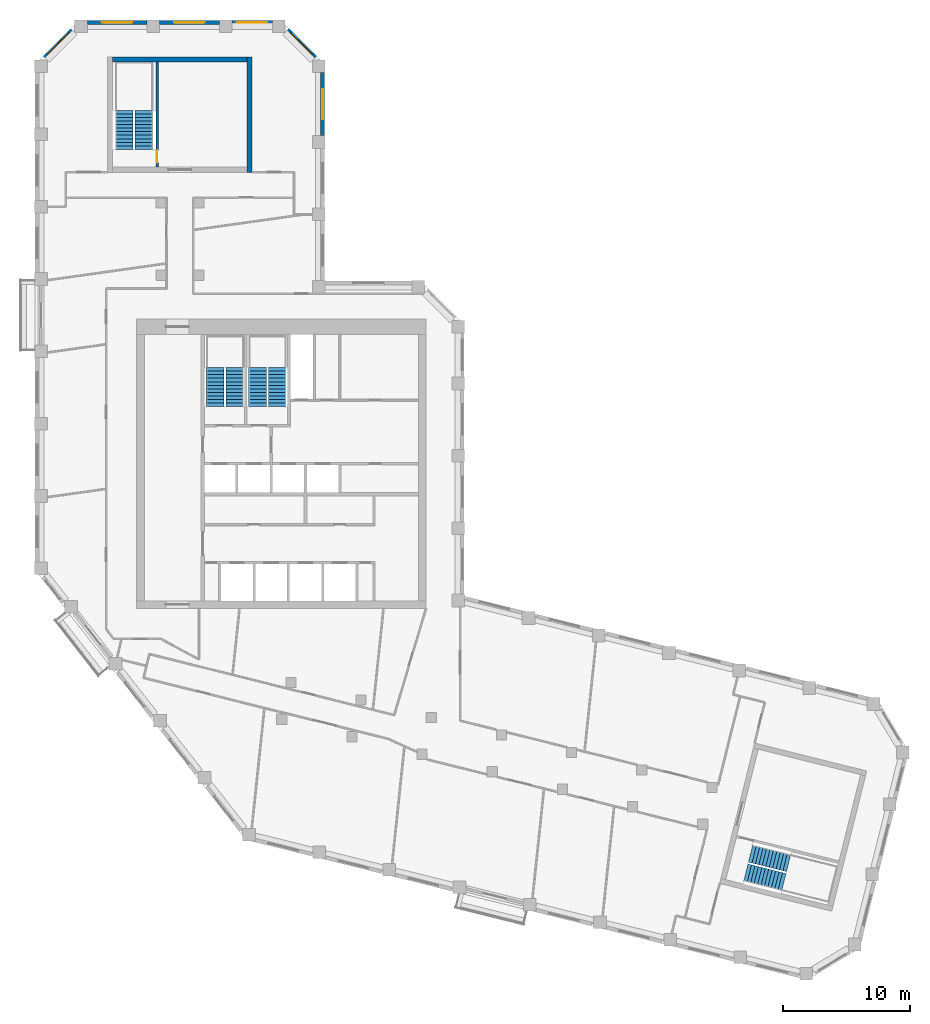
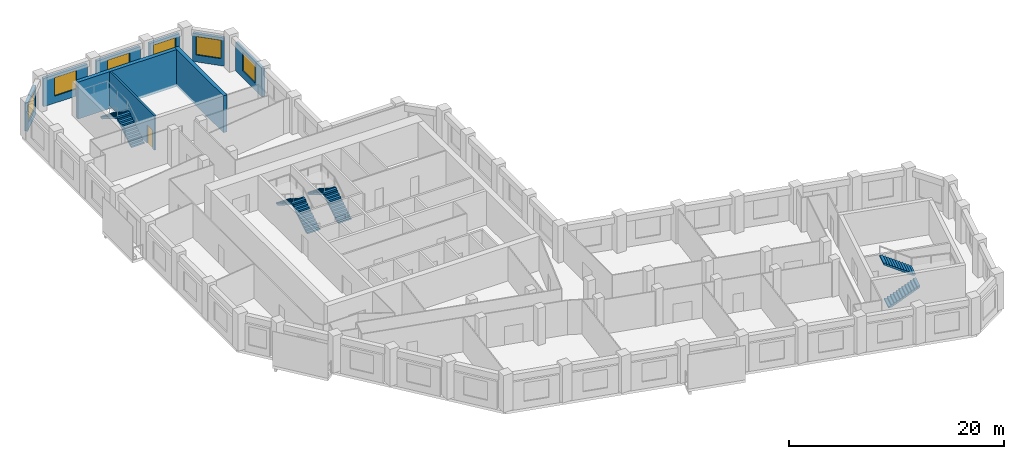
# One storey, part 8 of 9: 9 walls, 8 stair flights, 6 windows, 1 door, 7 openings, 4 elements without a shape of their own.
"""IFC4 building model written with IfcOpenShell, lengths in metres."""

import ifcopenshell
import ifcopenshell.guid

model = None  # the IFC model being written
_history = None  # IfcOwnerHistory: only IFC2X3 demands one
_inside = {}  # id of a spatial element -> (the spatial element, [elements in it])
_under = {}  # id of a project, library or spatial element -> (it, [spatial elements below it])
_declared = {}  # id of a project -> (the project, [libraries it declares])
_typed = {}  # id of a type object -> (the type object, [elements of that type])
_made_of = {}  # id of a material, layer set ... -> (it, [elements and type objects made of it])


def new_model(schema):
    """Start an empty IFC model of exactly this schema.

    Asked for "IFC4X3", IfcOpenShell would pick the latest addendum, in which some entities
    have other attributes; the version numbers below select the first issue.
    IFC2X3 requires an IfcOwnerHistory on every rooted entity: one is made here for all.
    """
    global model, _history
    if schema == "IFC4X3":
        model = ifcopenshell.file(schema_version=(4, 3, 0, 0))
    else:
        model = ifcopenshell.file(schema=schema)
    _inside.clear()
    _under.clear()
    _declared.clear()
    _typed.clear()
    _made_of.clear()
    _history = None
    if model.schema == "IFC2X3":
        org = make("IfcOrganization", Name="unknown")
        user = make(
            "IfcPersonAndOrganization",
            ThePerson=make("IfcPerson", FamilyName="unknown"),
            TheOrganization=org,
        )
        app = make(
            "IfcApplication",
            ApplicationDeveloper=org,
            Version="unknown",
            ApplicationFullName="unknown",
            ApplicationIdentifier="unknown",
        )
        _history = make(
            "IfcOwnerHistory",
            OwningUser=user,
            OwningApplication=app,
            ChangeAction="ADDED",
            CreationDate=0,
        )
    return model


def make(cls, **values):
    """One entity of the class cls with the attributes given. An attribute that is None is left unset."""
    return model.create_entity(
        cls, **{name: value for name, value in values.items() if value is not None}
    )


def rooted(cls, **values):
    """An entity with a GlobalId (a new one), such as an element, a storey or a relation."""
    return make(cls, GlobalId=ifcopenshell.guid.new(), OwnerHistory=_history, **values)


def si_unit(unit_type, name, prefix=None):
    """IfcSIUnit, for example si_unit("LENGTHUNIT", "METRE", prefix="MILLI")."""
    return make("IfcSIUnit", UnitType=unit_type, Prefix=prefix, Name=name)


def assignment(units):
    """IfcUnitAssignment: the units of a project."""
    return None if units is None else make("IfcUnitAssignment", Units=units)


def point(xyz):
    """IfcCartesianPoint."""
    return None if xyz is None else make("IfcCartesianPoint", Coordinates=xyz)


def direction(xyz):
    """IfcDirection."""
    return None if xyz is None else make("IfcDirection", DirectionRatios=xyz)


def frame(location, z_axis=None, x_axis=None):
    """IfcAxis2Placement3D, a coordinate frame: its origin and axes. An axis left out is left unset."""
    return make(
        "IfcAxis2Placement3D",
        Location=point(location),
        Axis=direction(z_axis),
        RefDirection=direction(x_axis),
    )


def frame_2d(location, x_axis=None):
    """IfcAxis2Placement2D, a coordinate frame in the plane: its origin and x axis."""
    return make(
        "IfcAxis2Placement2D", Location=point(location), RefDirection=direction(x_axis)
    )


def origin():
    """The frame at (0, 0, 0) with its axes left unset."""
    return frame((0.0, 0.0, 0.0))


def place(relative_to, where):
    """IfcLocalPlacement: puts the frame where relative to a parent placement (None: the world)."""
    return make(
        "IfcLocalPlacement", PlacementRelTo=relative_to, RelativePlacement=where
    )


def context(
    kind, dimensions, precision=None, world=None, true_north=None, identifier=None
):
    """IfcGeometricRepresentationContext, for example the 3D "Model" context."""
    return make(
        "IfcGeometricRepresentationContext",
        ContextIdentifier=identifier,
        ContextType=kind,
        CoordinateSpaceDimension=dimensions,
        Precision=precision,
        WorldCoordinateSystem=world,
        TrueNorth=true_north,
    )


def subcontext(parent, identifier, kind, view, scale=None):
    """IfcGeometricRepresentationSubContext, for example "Body" below "Model"."""
    return make(
        "IfcGeometricRepresentationSubContext",
        ContextIdentifier=identifier,
        ContextType=kind,
        ParentContext=parent,
        TargetScale=scale,
        TargetView=view,
    )


def project(units=None, contexts=None):
    """IfcProject with its units and contexts."""
    return rooted(
        "IfcProject",
        Name="project",
        RepresentationContexts=contexts,
        UnitsInContext=assignment(units),
    )


def spatial(cls, under=None, at=None, **own):
    """A site, building, storey or space (cls), placed at a placement, below another one or the project."""
    s = rooted(cls, ObjectPlacement=at, **own)
    if under is not None:
        _under.setdefault(under.id(), (under, []))[1].append(s)
    return s


def polyline(points):
    """IfcPolyline through the points."""
    return make("IfcPolyline", Points=[point(p) for p in points])


def profile(cls, at=None, kind="AREA", **sizes):
    """A parametric profile (cls). Its sizes go by their IFC names, for example OverallWidth=200.0."""
    return make(cls, ProfileType=kind, Position=at, **sizes)


def rectangle(**sizes):
    """IfcRectangleProfileDef."""
    return profile("IfcRectangleProfileDef", **sizes)


def outline(outer, holes=None, kind="AREA"):
    """IfcArbitraryClosedProfileDef: a profile drawn as a closed curve; with holes, ...WithVoids."""
    if holes is None:
        return make("IfcArbitraryClosedProfileDef", ProfileType=kind, OuterCurve=outer)
    return make(
        "IfcArbitraryProfileDefWithVoids",
        ProfileType=kind,
        OuterCurve=outer,
        InnerCurves=holes,
    )


def extrude(swept, where, along, depth):
    """IfcExtrudedAreaSolid: the profile swept, set in the frame where, extruded along a direction by depth."""
    return make(
        "IfcExtrudedAreaSolid",
        SweptArea=swept,
        Position=where,
        ExtrudedDirection=direction(along),
        Depth=depth,
    )


def shape(context_of_items, identifier, shape_type, items):
    """IfcShapeRepresentation: the items that make up one representation, for example the "Body"."""
    return make(
        "IfcShapeRepresentation",
        ContextOfItems=context_of_items,
        RepresentationIdentifier=identifier,
        RepresentationType=shape_type,
        Items=items,
    )


def material(Name=None, Category=None):
    """IfcMaterial."""
    return make("IfcMaterial", Name=Name, Category=Category)


def layer(
    of_material, thickness, ventilated=None, Name=None, Category=None, Priority=None
):
    """IfcMaterialLayer: one layer of a wall or slab, of a material (None: an air gap)."""
    return make(
        "IfcMaterialLayer",
        Material=of_material,
        LayerThickness=thickness,
        IsVentilated=ventilated,
        Name=Name,
        Category=Category,
        Priority=Priority,
    )


def layer_set(layers, Name=None):
    """IfcMaterialLayerSet."""
    return make("IfcMaterialLayerSet", MaterialLayers=layers, LayerSetName=Name)


def made_of(thing, what):
    """Note that an element or type object is made of a material, layer set ...; save() writes the relation."""
    if what is not None:
        _made_of.setdefault(what.id(), (what, []))[1].append(thing)
    return thing


def type_object(cls, material=None, **own):
    """A type object (cls), such as IfcWallType, which elements share."""
    return made_of(rooted(cls, **own), material)


def element(
    cls,
    number,
    at=None,
    inside=None,
    cuts=None,
    type_object=None,
    material=None,
    context=None,
    identifier="Body",
    shape_type=None,
    held_by="IfcProductDefinitionShape",
    body=None,
    shapes=None,
    **own,
):
    """One element of the class cls, such as IfcWall. Its Tag is "e" and its number.

    at: its placement. inside: the storey or other place that contains it. cuts: it is an
    opening in that element (IfcRelVoidsElement). A single representation is given by context,
    identifier, shape_type and body (its items); several are given by shapes. held_by: the class
    of the entity that holds the representations. save() writes the other relations.
    """
    e = rooted(cls, Tag="e%d" % number, ObjectPlacement=at, **own)
    if body is not None:
        shapes = [shape(context, identifier, shape_type, body)]
    if shapes is not None:
        e.Representation = make(held_by, Representations=shapes)
    if inside is not None:
        _inside.setdefault(inside.id(), (inside, []))[1].append(e)
    if cuts is not None:
        rooted(
            "IfcRelVoidsElement", RelatingBuildingElement=cuts, RelatedOpeningElement=e
        )
    if type_object is not None:
        _typed.setdefault(type_object.id(), (type_object, []))[1].append(e)
    return made_of(e, material)


def fill(opening, filler):
    """IfcRelFillsElement: the door or window that sits in an opening."""
    return rooted(
        "IfcRelFillsElement",
        RelatingOpeningElement=opening,
        RelatedBuildingElement=filler,
    )


def aggregate(whole, parts):
    """IfcRelAggregates: a whole, such as a stair, and the parts it consists of."""
    return rooted("IfcRelAggregates", RelatingObject=whole, RelatedObjects=parts)


def save(model, path):
    """Write the relations noted so far, then the file.

    IfcRelAggregates (storeys below a building ...), IfcRelContainedInSpatialStructure (elements
    in a storey), IfcRelDefinesByType, IfcRelAssociatesMaterial and IfcRelDeclares: one each for
    every whole, place, type object, material and project.
    """
    for whole, parts in _under.values():
        aggregate(whole, parts)
    for where, things in _inside.values():
        rooted(
            "IfcRelContainedInSpatialStructure",
            RelatedElements=things,
            RelatingStructure=where,
        )
    for kind, things in _typed.values():
        rooted("IfcRelDefinesByType", RelatedObjects=things, RelatingType=kind)
    for what, things in _made_of.values():
        rooted("IfcRelAssociatesMaterial", RelatedObjects=things, RelatingMaterial=what)
    for by, libraries in _declared.values():
        rooted("IfcRelDeclares", RelatingContext=by, RelatedDefinitions=libraries)
    model.write(path)


model = new_model("IFC4")

# Units and contexts
model_context = context("Model", 3, precision=1e-05, world=origin(), true_north=direction((0.0, 1.0)))
body_context = subcontext(model_context, "Body", "Model", "MODEL_VIEW")
ifc_project = project(units=[si_unit("LENGTHUNIT", "METRE"), si_unit("AREAUNIT", "SQUARE_METRE"), si_unit("VOLUMEUNIT", "CUBIC_METRE"), si_unit("PLANEANGLEUNIT", "RADIAN"), si_unit("MASSUNIT", "GRAM", prefix="KILO")], contexts=[model_context])

# Site, building, storey
site_placement = place(None, origin())
site = spatial("IfcSite", under=ifc_project, at=site_placement, CompositionType="ELEMENT")
building_placement = place(site_placement, origin())
building = spatial("IfcBuilding", under=site, at=building_placement, Name="Meshkara Civic Tower", CompositionType="ELEMENT")
storey_placement = place(building_placement, frame((0.0, 0.0, 319.199951171875)))
storey = spatial("IfcBuildingStorey", under=building, at=storey_placement, Name="L73", CompositionType="ELEMENT", Elevation=319.199951171875)

# Wall, opening, window
ifc_material_1 = material(Name="Insulated infill panel with bronze anodised aluminium cladding", Category="aluminium")
ifc_layer_1 = layer(ifc_material_1, 0.300048828125)
ifc_layer_set_1 = layer_set([ifc_layer_1], Name="EXTERNAL INFILL WALL 300")
wall_type_1 = type_object("IfcWallType", Name="EXTERNAL INFILL WALL 300", PredefinedType="SOLIDWALL", material=ifc_layer_set_1)
wall_1_placement = place(storey_placement, frame((22.64990234375, 51.35009765625, 0.0), z_axis=(0.0, 0.0, 1.0), x_axis=(0.0, 1.0, 0.0)))
wall_1 = element("IfcWall", 1, at=wall_1_placement, inside=storey, type_object=wall_type_1, Name="External wall", PredefinedType="SOLIDWALL", context=body_context, shape_type="SweptSolid", body=[
    extrude(rectangle(XDim=4.9638671875, YDim=0.300048828125, at=frame_2d((2.48193359375, 0.0))), origin(), (0.0, 0.0, 1.0), 3.199951171875),
])
opening_1_placement = place(wall_1_placement, frame((1.281982421875, 0.0, 0.800048828125)))
opening_1 = element("IfcOpeningElement", 2, at=opening_1_placement, cuts=wall_1, Name="Opening W7", PredefinedType="OPENING", context=body_context, shape_type="SweptSolid", body=[
    extrude(rectangle(XDim=2.39990234375, YDim=2.10009765625, at=frame_2d((1.199951171875, 1.050048828125))), frame((0.0, 0.159912109375, 0.0), z_axis=(0.0, -1.0, 0.0), x_axis=(1.0, 0.0, 0.0)), (0.0, 0.0, 1.0), 0.320068359375),
])
ifc_material_2 = material(Name="Tinted double glazing", Category="glass")
window_type = type_object("IfcWindowType", Name="WINDOW 2400x2100", PartitioningType="DOUBLE_PANEL_VERTICAL", PredefinedType="WINDOW", material=ifc_material_2)
window_1_placement = place(opening_1_placement, origin())
window_1 = element("IfcWindow", 3, at=window_1_placement, inside=storey, type_object=window_type, Name="Window", OverallHeight=2.10009765625, OverallWidth=2.39990234375, PartitioningType="DOUBLE_PANEL_VERTICAL", PredefinedType="WINDOW", context=body_context, shape_type="SweptSolid", body=[
    extrude(rectangle(XDim=2.39990234375, YDim=2.10009765625, at=frame_2d((1.199951171875, 1.050048828125))), frame((0.0, 0.030029296875, 0.0), z_axis=(0.0, -1.0, 0.0), x_axis=(1.0, 0.0, 0.0)), (0.0, 0.0, 1.0), 0.06005859375),
])
fill(opening_1, window_1)

wall_2_placement = place(storey_placement, frame((22.06201171875, 57.52587890625, 0.0), z_axis=(0.0, 0.0, 1.0), x_axis=(-0.707106781187, 0.707106781187, 0.0)))
wall_2 = element("IfcWall", 4, at=wall_2_placement, inside=storey, type_object=wall_type_1, Name="External wall", PredefinedType="SOLIDWALL", context=body_context, shape_type="SweptSolid", body=[
    extrude(rectangle(XDim=3.049072265625, YDim=0.300048828125, at=frame_2d((1.5244140625, 0.0))), origin(), (0.0, 0.0, 1.0), 3.199951171875),
])
opening_2_placement = place(wall_2_placement, frame((0.324951171875, 0.0, 0.800048828125)))
opening_2 = element("IfcOpeningElement", 5, at=opening_2_placement, cuts=wall_2, Name="Opening W7", PredefinedType="OPENING", context=body_context, shape_type="SweptSolid", body=[
    extrude(rectangle(XDim=2.39990234375, YDim=2.10009765625, at=frame_2d((1.199951171875, 1.050048828125))), frame((0.0, 0.159912109375, 0.0), z_axis=(0.0, -1.0, 0.0), x_axis=(1.0, 0.0, 0.0)), (0.0, 0.0, 1.0), 0.320068359375),
])
window_2_placement = place(opening_2_placement, origin())
window_2 = element("IfcWindow", 6, at=window_2_placement, inside=storey, type_object=window_type, Name="Window", OverallHeight=2.10009765625, OverallWidth=2.39990234375, PartitioningType="DOUBLE_PANEL_VERTICAL", PredefinedType="WINDOW", context=body_context, shape_type="SweptSolid", body=[
    extrude(rectangle(XDim=2.39990234375, YDim=2.10009765625, at=frame_2d((1.199951171875, 1.050048828125))), frame((0.0, 0.030029296875, 0.0), z_axis=(0.0, -1.0, 0.0), x_axis=(1.0, 0.0, 0.0)), (0.0, 0.0, 1.0), 0.06005859375),
])
fill(opening_2, window_2)

wall_3_placement = place(storey_placement, frame((18.694091796875, 60.27001953125, 0.0), z_axis=(0.0, 0.0, 1.0), x_axis=(-1.0, 0.0, 0.0)))
wall_3 = element("IfcWall", 7, at=wall_3_placement, inside=storey, type_object=wall_type_1, Name="External wall", PredefinedType="SOLIDWALL", context=body_context, shape_type="SweptSolid", body=[
    extrude(rectangle(XDim=3.18798828125, YDim=0.300048828125, at=frame_2d((1.593994140625, 0.0))), origin(), (0.0, 0.0, 1.0), 3.199951171875),
])
opening_3_placement = place(wall_3_placement, frame((0.39404296875, 0.0, 0.800048828125)))
opening_3 = element("IfcOpeningElement", 8, at=opening_3_placement, cuts=wall_3, Name="Opening W7", PredefinedType="OPENING", context=body_context, shape_type="SweptSolid", body=[
    extrude(rectangle(XDim=2.39990234375, YDim=2.10009765625, at=frame_2d((1.199951171875, 1.050048828125))), frame((0.0, 0.159912109375, 0.0), z_axis=(0.0, -1.0, 0.0), x_axis=(1.0, 0.0, 0.0)), (0.0, 0.0, 1.0), 0.320068359375),
])
window_3_placement = place(opening_3_placement, origin())
window_3 = element("IfcWindow", 9, at=window_3_placement, inside=storey, type_object=window_type, Name="Window", OverallHeight=2.10009765625, OverallWidth=2.39990234375, PartitioningType="DOUBLE_PANEL_VERTICAL", PredefinedType="WINDOW", context=body_context, shape_type="SweptSolid", body=[
    extrude(rectangle(XDim=2.39990234375, YDim=2.10009765625, at=frame_2d((1.199951171875, 1.050048828125))), frame((0.0, 0.030029296875, 0.0), z_axis=(0.0, -1.0, 0.0), x_axis=(1.0, 0.0, 0.0)), (0.0, 0.0, 1.0), 0.06005859375),
])
fill(opening_3, window_3)

wall_4_placement = place(storey_placement, frame((14.506103515625, 60.27001953125, 0.0), z_axis=(0.0, 0.0, 1.0), x_axis=(-1.0, 0.0, 0.0)))
wall_4 = element("IfcWall", 10, at=wall_4_placement, inside=storey, type_object=wall_type_1, Name="External wall", PredefinedType="SOLIDWALL", context=body_context, shape_type="SweptSolid", body=[
    extrude(rectangle(XDim=4.7001953125, YDim=0.300048828125, at=frame_2d((2.35009765625, 0.0))), origin(), (0.0, 0.0, 1.0), 3.199951171875),
])
opening_4_placement = place(wall_4_placement, frame((1.14990234375, 0.0, 0.800048828125)))
opening_4 = element("IfcOpeningElement", 11, at=opening_4_placement, cuts=wall_4, Name="Opening W7", PredefinedType="OPENING", context=body_context, shape_type="SweptSolid", body=[
    extrude(rectangle(XDim=2.39990234375, YDim=2.10009765625, at=frame_2d((1.199951171875, 1.050048828125))), frame((0.0, 0.159912109375, 0.0), z_axis=(0.0, -1.0, 0.0), x_axis=(1.0, 0.0, 0.0)), (0.0, 0.0, 1.0), 0.320068359375),
])
window_4_placement = place(opening_4_placement, origin())
window_4 = element("IfcWindow", 12, at=window_4_placement, inside=storey, type_object=window_type, Name="Window", OverallHeight=2.10009765625, OverallWidth=2.39990234375, PartitioningType="DOUBLE_PANEL_VERTICAL", PredefinedType="WINDOW", context=body_context, shape_type="SweptSolid", body=[
    extrude(rectangle(XDim=2.39990234375, YDim=2.10009765625, at=frame_2d((1.199951171875, 1.050048828125))), frame((0.0, 0.030029296875, 0.0), z_axis=(0.0, -1.0, 0.0), x_axis=(1.0, 0.0, 0.0)), (0.0, 0.0, 1.0), 0.06005859375),
])
fill(opening_4, window_4)

wall_5_placement = place(storey_placement, frame((8.805908203125, 60.27001953125, 0.0), z_axis=(0.0, 0.0, 1.0), x_axis=(-1.0, 0.0, 0.0)))
wall_5 = element("IfcWall", 13, at=wall_5_placement, inside=storey, type_object=wall_type_1, Name="External wall", PredefinedType="SOLIDWALL", context=body_context, shape_type="SweptSolid", body=[
    extrude(rectangle(XDim=4.699951171875, YDim=0.300048828125, at=frame_2d((2.35009765625, 0.0))), origin(), (0.0, 0.0, 1.0), 3.199951171875),
])
opening_5_placement = place(wall_5_placement, frame((1.14990234375, 0.0, 0.800048828125)))
opening_5 = element("IfcOpeningElement", 14, at=opening_5_placement, cuts=wall_5, Name="Opening W7", PredefinedType="OPENING", context=body_context, shape_type="SweptSolid", body=[
    extrude(rectangle(XDim=2.39990234375, YDim=2.10009765625, at=frame_2d((1.199951171875, 1.050048828125))), frame((0.0, 0.159912109375, 0.0), z_axis=(0.0, -1.0, 0.0), x_axis=(1.0, 0.0, 0.0)), (0.0, 0.0, 1.0), 0.320068359375),
])
window_5_placement = place(opening_5_placement, origin())
window_5 = element("IfcWindow", 15, at=window_5_placement, inside=storey, type_object=window_type, Name="Window", OverallHeight=2.10009765625, OverallWidth=2.39990234375, PartitioningType="DOUBLE_PANEL_VERTICAL", PredefinedType="WINDOW", context=body_context, shape_type="SweptSolid", body=[
    extrude(rectangle(XDim=2.39990234375, YDim=2.10009765625, at=frame_2d((1.199951171875, 1.050048828125))), frame((0.0, 0.030029296875, 0.0), z_axis=(0.0, -1.0, 0.0), x_axis=(1.0, 0.0, 0.0)), (0.0, 0.0, 1.0), 0.06005859375),
])
fill(opening_5, window_5)

wall_6_placement = place(storey_placement, frame((2.89404296875, 59.681884765625, 0.0), z_axis=(0.0, 0.0, 1.0), x_axis=(-0.707106781187, -0.707106781187, 0.0)))
wall_6 = element("IfcWall", 16, at=wall_6_placement, inside=storey, type_object=wall_type_1, Name="External wall", PredefinedType="SOLIDWALL", context=body_context, shape_type="SweptSolid", body=[
    extrude(rectangle(XDim=3.049072265625, YDim=0.300048828125, at=frame_2d((1.5244140625, 0.0))), origin(), (0.0, 0.0, 1.0), 3.199951171875),
])
opening_6_placement = place(wall_6_placement, frame((0.324951171875, 0.0, 0.800048828125)))
opening_6 = element("IfcOpeningElement", 17, at=opening_6_placement, cuts=wall_6, Name="Opening W7", PredefinedType="OPENING", context=body_context, shape_type="SweptSolid", body=[
    extrude(rectangle(XDim=2.39990234375, YDim=2.10009765625, at=frame_2d((1.199951171875, 1.050048828125))), frame((0.0, 0.159912109375, 0.0), z_axis=(0.0, -1.0, 0.0), x_axis=(1.0, 0.0, 0.0)), (0.0, 0.0, 1.0), 0.320068359375),
])
window_6_placement = place(opening_6_placement, origin())
window_6 = element("IfcWindow", 18, at=window_6_placement, inside=storey, type_object=window_type, Name="Window", OverallHeight=2.10009765625, OverallWidth=2.39990234375, PartitioningType="DOUBLE_PANEL_VERTICAL", PredefinedType="WINDOW", context=body_context, shape_type="SweptSolid", body=[
    extrude(rectangle(XDim=2.39990234375, YDim=2.10009765625, at=frame_2d((1.199951171875, 1.050048828125))), frame((0.0, 0.030029296875, 0.0), z_axis=(0.0, -1.0, 0.0), x_axis=(1.0, 0.0, 0.0)), (0.0, 0.0, 1.0), 0.06005859375),
])
fill(opening_6, window_6)

# Walls
ifc_material_3 = material(Name="Concrete C60", Category="concrete")
ifc_layer_2 = layer(ifc_material_3, 0.39990234375)
ifc_layer_set_2 = layer_set([ifc_layer_2], Name="End core ring wall 400 C60")
wall_type_2 = type_object("IfcWallType", Name="End core ring wall 400 C60", PredefinedType="SHEAR", material=ifc_layer_set_2)
wall_7_placement = place(storey_placement, frame((16.89990234375, 48.469970703125, -0.300048828125), z_axis=(0.0, 0.0, 1.0), x_axis=(0.0, 1.0, 0.0)))
element("IfcWall", 19, at=wall_7_placement, inside=storey, type_object=wall_type_2, Name="L73-C028", PredefinedType="SHEAR", context=body_context, shape_type="SweptSolid", body=[
    extrude(rectangle(XDim=9.10009765625, YDim=0.39990234375, at=frame_2d((4.550048828125, 0.0))), origin(), (0.0, 0.0, 1.0), 4.2001953125),
])
wall_8_placement = place(storey_placement, frame((6.10009765625, 57.3701171875, -0.300048828125), z_axis=(0.0, 0.0, 1.0), x_axis=(1.0, 0.0, 0.0)))
element("IfcWall", 20, at=wall_8_placement, inside=storey, type_object=wall_type_2, Name="L73-C030", PredefinedType="SHEAR", context=body_context, shape_type="SweptSolid", body=[
    extrude(rectangle(XDim=10.599853515625, YDim=0.39990234375, at=frame_2d((5.2998046875, 0.0))), origin(), (0.0, 0.0, 1.0), 4.2001953125),
])

# Wall, opening, door
ifc_material_4 = material(Name="Concrete C40/50", Category="concrete")
ifc_layer_3 = layer(ifc_material_4, 0.199951171875)
ifc_layer_set_3 = layer_set([ifc_layer_3], Name="Stair enclosure wall 200 C40/50")
wall_type_3 = type_object("IfcWallType", Name="Stair enclosure wall 200 C40/50", PredefinedType="SOLIDWALL", material=ifc_layer_set_3)
wall_9_placement = place(storey_placement, frame((9.60009765625, 48.8701171875, 0.0), z_axis=(0.0, 0.0, 1.0), x_axis=(0.0, 1.0, 0.0)))
wall_9 = element("IfcWall", 21, at=wall_9_placement, inside=storey, type_object=wall_type_3, Name="L73-C031", PredefinedType="SOLIDWALL", context=body_context, shape_type="SweptSolid", body=[
    extrude(rectangle(XDim=8.2998046875, YDim=0.199951171875, at=frame_2d((4.14990234375, 0.0))), origin(), (0.0, 0.0, 1.0), 3.900146484375),
])
opening_7_placement = place(wall_9_placement, frame((0.35009765625, 0.0, 0.0)))
opening_7 = element("IfcOpeningElement", 22, at=opening_7_placement, cuts=wall_9, Name="Opening L73-K101", PredefinedType="OPENING", context=body_context, shape_type="SweptSolid", body=[
    extrude(rectangle(XDim=1.0, YDim=2.10009765625, at=frame_2d((0.5, 1.050048828125))), frame((0.0, 0.10986328125, 0.0), z_axis=(0.0, -1.0, 0.0), x_axis=(1.0, 0.0, 0.0)), (0.0, 0.0, 1.0), 0.219970703125),
])
ifc_material_5 = material(Name="Fire-rated door leaf in steel frame", Category="steel")
door_type = type_object("IfcDoorType", Name="Stair door 1000 EI 120", OperationType="SINGLE_SWING_LEFT", PredefinedType="DOOR", material=ifc_material_5)
door_placement = place(opening_7_placement, origin())
door = element("IfcDoor", 23, at=door_placement, inside=storey, type_object=door_type, Name="L73-K101", OperationType="SINGLE_SWING_RIGHT", OverallHeight=2.10009765625, OverallWidth=1.0, PredefinedType="DOOR", context=body_context, shape_type="SweptSolid", body=[
    extrude(rectangle(XDim=1.0, YDim=2.10009765625, at=frame_2d((0.5, 1.050048828125))), frame((0.0, 0.02490234375, 0.0), z_axis=(0.0, -1.0, 0.0), x_axis=(1.0, 0.0, 0.0)), (0.0, 0.0, 1.0), 0.050048828125),
])
fill(opening_7, door)

# Stair, stair flights
ifc_material_6 = material(Name="Precast concrete C40/50", Category="concrete")
stair_type = type_object("IfcStairType", Name="Exit stair half-turn 24 risers precast", PredefinedType="HALF_TURN_STAIR", material=ifc_material_6)
stair_1_placement = place(storey_placement, origin())
stair_1 = element("IfcStair", 24, at=stair_1_placement, inside=storey, type_object=stair_type, Name="L73 exit stair 1", PredefinedType="HALF_TURN_STAIR")
ifc_material_7 = material(Name="Precast concrete C40/50", Category="concrete")
stair_flight_type = type_object("IfcStairFlightType", Name="Exit stair flight 12 risers precast", PredefinedType="STRAIGHT", material=ifc_material_7)
stair_flight_1_placement = place(storey_placement, frame((15.72509765625, 30.0, 0.0), z_axis=(0.0, 0.0, 1.0), x_axis=(0.0, 1.0, 0.0)))
stair_flight_1 = element("IfcStairFlight", 25, at=stair_flight_1_placement, type_object=stair_flight_type, Name="ST1 flight 1", NumberOfRisers=12, NumberOfTreads=11, PredefinedType="STRAIGHT", RiserHeight=0.175, TreadLength=0.28, context=body_context, shape_type="SweptSolid", body=[
    extrude(outline(polyline([(0.0, 0.0), (0.0, 0.175048828125), (0.280029296875, 0.175048828125), (0.280029296875, 0.35009765625), (0.56005859375, 0.35009765625), (0.56005859375, 0.52490234375), (0.840087890625, 0.52490234375), (0.840087890625, 0.699951171875), (1.1201171875, 0.699951171875), (1.1201171875, 0.875), (1.39990234375, 0.875), (1.39990234375, 1.050048828125), (1.679931640625, 1.050048828125), (1.679931640625, 1.22509765625), (1.9599609375, 1.22509765625), (1.9599609375, 1.39990234375), (2.239990234375, 1.39990234375), (2.239990234375, 1.574951171875), (2.52001953125, 1.574951171875), (2.52001953125, 1.75), (2.800048828125, 1.75), (2.800048828125, 1.925048828125), (3.080078125, 1.925048828125), (3.080078125, 2.10009765625), (3.080078125, 1.748291015625), (0.28271484375, 0.0), (0.0, 0.0)])), frame((0.0, 0.699951171875, 0.0), z_axis=(0.0, -1.0, 0.0), x_axis=(1.0, 0.0, 0.0)), (0.0, 0.0, 1.0), 1.39990234375),
])
stair_flight_2_placement = place(storey_placement, frame((14.175048828125, 33.080078125, 2.10009765625), z_axis=(0.0, 0.0, 1.0), x_axis=(0.0, -1.0, 0.0)))
stair_flight_2 = element("IfcStairFlight", 26, at=stair_flight_2_placement, type_object=stair_flight_type, Name="ST1 flight 2", NumberOfRisers=12, NumberOfTreads=11, PredefinedType="STRAIGHT", RiserHeight=0.175, TreadLength=0.28, context=body_context, shape_type="SweptSolid", body=[
    extrude(outline(polyline([(0.0, 0.0), (0.0, 0.175048828125), (0.280029296875, 0.175048828125), (0.280029296875, 0.35009765625), (0.56005859375, 0.35009765625), (0.56005859375, 0.52490234375), (0.840087890625, 0.52490234375), (0.840087890625, 0.699951171875), (1.1201171875, 0.699951171875), (1.1201171875, 0.875), (1.39990234375, 0.875), (1.39990234375, 1.050048828125), (1.679931640625, 1.050048828125), (1.679931640625, 1.22509765625), (1.9599609375, 1.22509765625), (1.9599609375, 1.39990234375), (2.239990234375, 1.39990234375), (2.239990234375, 1.574951171875), (2.52001953125, 1.574951171875), (2.52001953125, 1.75), (2.800048828125, 1.75), (2.800048828125, 1.925048828125), (3.080078125, 1.925048828125), (3.080078125, 2.10009765625), (3.080078125, 1.748291015625), (0.28271484375, 0.0), (0.0, 0.0)])), frame((0.0, 0.699951171875, 0.0), z_axis=(0.0, -1.0, 0.0), x_axis=(1.0, 0.0, 0.0)), (0.0, 0.0, 1.0), 1.39990234375),
])
aggregate(stair_1, [stair_flight_1, stair_flight_2])

stair_2_placement = place(storey_placement, origin())
stair_2 = element("IfcStair", 27, at=stair_2_placement, inside=storey, type_object=stair_type, Name="L73 exit stair 2", PredefinedType="HALF_TURN_STAIR")
stair_flight_3_placement = place(storey_placement, frame((19.074951171875, 30.0, 0.0), z_axis=(0.0, 0.0, 1.0), x_axis=(0.0, 1.0, 0.0)))
stair_flight_3 = element("IfcStairFlight", 28, at=stair_flight_3_placement, type_object=stair_flight_type, Name="ST2 flight 1", NumberOfRisers=12, NumberOfTreads=11, PredefinedType="STRAIGHT", RiserHeight=0.175, TreadLength=0.28, context=body_context, shape_type="SweptSolid", body=[
    extrude(outline(polyline([(0.0, 0.0), (0.0, 0.175048828125), (0.280029296875, 0.175048828125), (0.280029296875, 0.35009765625), (0.56005859375, 0.35009765625), (0.56005859375, 0.52490234375), (0.840087890625, 0.52490234375), (0.840087890625, 0.699951171875), (1.1201171875, 0.699951171875), (1.1201171875, 0.875), (1.39990234375, 0.875), (1.39990234375, 1.050048828125), (1.679931640625, 1.050048828125), (1.679931640625, 1.22509765625), (1.9599609375, 1.22509765625), (1.9599609375, 1.39990234375), (2.239990234375, 1.39990234375), (2.239990234375, 1.574951171875), (2.52001953125, 1.574951171875), (2.52001953125, 1.75), (2.800048828125, 1.75), (2.800048828125, 1.925048828125), (3.080078125, 1.925048828125), (3.080078125, 2.10009765625), (3.080078125, 1.748291015625), (0.28271484375, 0.0), (0.0, 0.0)])), frame((0.0, 0.699951171875, 0.0), z_axis=(0.0, -1.0, 0.0), x_axis=(1.0, 0.0, 0.0)), (0.0, 0.0, 1.0), 1.39990234375),
])
stair_flight_4_placement = place(storey_placement, frame((17.52490234375, 33.080078125, 2.10009765625), z_axis=(0.0, 0.0, 1.0), x_axis=(0.0, -1.0, 0.0)))
stair_flight_4 = element("IfcStairFlight", 29, at=stair_flight_4_placement, type_object=stair_flight_type, Name="ST2 flight 2", NumberOfRisers=12, NumberOfTreads=11, PredefinedType="STRAIGHT", RiserHeight=0.175, TreadLength=0.28, context=body_context, shape_type="SweptSolid", body=[
    extrude(outline(polyline([(0.0, 0.0), (0.0, 0.175048828125), (0.280029296875, 0.175048828125), (0.280029296875, 0.35009765625), (0.56005859375, 0.35009765625), (0.56005859375, 0.52490234375), (0.840087890625, 0.52490234375), (0.840087890625, 0.699951171875), (1.1201171875, 0.699951171875), (1.1201171875, 0.875), (1.39990234375, 0.875), (1.39990234375, 1.050048828125), (1.679931640625, 1.050048828125), (1.679931640625, 1.22509765625), (1.9599609375, 1.22509765625), (1.9599609375, 1.39990234375), (2.239990234375, 1.39990234375), (2.239990234375, 1.574951171875), (2.52001953125, 1.574951171875), (2.52001953125, 1.75), (2.800048828125, 1.75), (2.800048828125, 1.925048828125), (3.080078125, 1.925048828125), (3.080078125, 2.10009765625), (3.080078125, 1.748291015625), (0.28271484375, 0.0), (0.0, 0.0)])), frame((0.0, 0.699951171875, 0.0), z_axis=(0.0, -1.0, 0.0), x_axis=(1.0, 0.0, 0.0)), (0.0, 0.0, 1.0), 1.39990234375),
])
aggregate(stair_2, [stair_flight_3, stair_flight_4])

stair_3_placement = place(storey_placement, origin())
stair_3 = element("IfcStair", 30, at=stair_3_placement, inside=storey, type_object=stair_type, Name="L73 exit stair A from L65", PredefinedType="HALF_TURN_STAIR")
stair_flight_5_placement = place(storey_placement, frame((8.574951171875, 50.27001953125, 0.0), z_axis=(0.0, 0.0, 1.0), x_axis=(0.0, 1.0, 0.0)))
stair_flight_5 = element("IfcStairFlight", 31, at=stair_flight_5_placement, type_object=stair_flight_type, Name="ESA5 flight 1", NumberOfRisers=12, NumberOfTreads=11, PredefinedType="STRAIGHT", RiserHeight=0.175, TreadLength=0.28, context=body_context, shape_type="SweptSolid", body=[
    extrude(outline(polyline([(0.0, 0.0), (0.0, 0.175048828125), (0.280029296875, 0.175048828125), (0.280029296875, 0.35009765625), (0.56005859375, 0.35009765625), (0.56005859375, 0.52490234375), (0.840087890625, 0.52490234375), (0.840087890625, 0.699951171875), (1.1201171875, 0.699951171875), (1.1201171875, 0.875), (1.39990234375, 0.875), (1.39990234375, 1.050048828125), (1.679931640625, 1.050048828125), (1.679931640625, 1.22509765625), (1.9599609375, 1.22509765625), (1.9599609375, 1.39990234375), (2.239990234375, 1.39990234375), (2.239990234375, 1.574951171875), (2.52001953125, 1.574951171875), (2.52001953125, 1.75), (2.800048828125, 1.75), (2.800048828125, 1.925048828125), (3.080078125, 1.925048828125), (3.080078125, 2.10009765625), (3.080078125, 1.748291015625), (0.28271484375, 0.0), (0.0, 0.0)])), frame((0.0, 0.699951171875, 0.0), z_axis=(0.0, -1.0, 0.0), x_axis=(1.0, 0.0, 0.0)), (0.0, 0.0, 1.0), 1.39990234375),
])
stair_flight_6_placement = place(storey_placement, frame((7.02490234375, 53.35009765625, 2.10009765625), z_axis=(0.0, 0.0, 1.0), x_axis=(0.0, -1.0, 0.0)))
stair_flight_6 = element("IfcStairFlight", 32, at=stair_flight_6_placement, type_object=stair_flight_type, Name="ESA5 flight 2", NumberOfRisers=12, NumberOfTreads=11, PredefinedType="STRAIGHT", RiserHeight=0.175, TreadLength=0.28, context=body_context, shape_type="SweptSolid", body=[
    extrude(outline(polyline([(0.0, 0.0), (0.0, 0.175048828125), (0.280029296875, 0.175048828125), (0.280029296875, 0.35009765625), (0.56005859375, 0.35009765625), (0.56005859375, 0.52490234375), (0.840087890625, 0.52490234375), (0.840087890625, 0.699951171875), (1.1201171875, 0.699951171875), (1.1201171875, 0.875), (1.39990234375, 0.875), (1.39990234375, 1.050048828125), (1.679931640625, 1.050048828125), (1.679931640625, 1.22509765625), (1.9599609375, 1.22509765625), (1.9599609375, 1.39990234375), (2.239990234375, 1.39990234375), (2.239990234375, 1.574951171875), (2.52001953125, 1.574951171875), (2.52001953125, 1.75), (2.800048828125, 1.75), (2.800048828125, 1.925048828125), (3.080078125, 1.925048828125), (3.080078125, 2.10009765625), (3.080078125, 1.748291015625), (0.28271484375, 0.0), (0.0, 0.0)])), frame((0.0, 0.699951171875, 0.0), z_axis=(0.0, -1.0, 0.0), x_axis=(1.0, 0.0, 0.0)), (0.0, 0.0, 1.0), 1.39990234375),
])
aggregate(stair_3, [stair_flight_5, stair_flight_6])

stair_4_placement = place(storey_placement, origin())
stair_4 = element("IfcStair", 33, at=stair_4_placement, inside=storey, type_object=stair_type, Name="L73 exit stair B from L65", PredefinedType="HALF_TURN_STAIR")
stair_flight_7_placement = place(storey_placement, frame((56.0068359375, -6.723876953125, 0.0), z_axis=(0.0, 0.0, 1.0), x_axis=(0.970260066579, -0.242064873955, 0.0)))
stair_flight_7 = element("IfcStairFlight", 34, at=stair_flight_7_placement, type_object=stair_flight_type, Name="ESB5 flight 1", NumberOfRisers=12, NumberOfTreads=11, PredefinedType="STRAIGHT", RiserHeight=0.175, TreadLength=0.28, context=body_context, shape_type="SweptSolid", body=[
    extrude(outline(polyline([(0.0, 0.0), (0.0, 0.175048828125), (0.280029296875, 0.175048828125), (0.280029296875, 0.35009765625), (0.56005859375, 0.35009765625), (0.56005859375, 0.52490234375), (0.840087890625, 0.52490234375), (0.840087890625, 0.699951171875), (1.1201171875, 0.699951171875), (1.1201171875, 0.875), (1.39990234375, 0.875), (1.39990234375, 1.050048828125), (1.679931640625, 1.050048828125), (1.679931640625, 1.22509765625), (1.9599609375, 1.22509765625), (1.9599609375, 1.39990234375), (2.239990234375, 1.39990234375), (2.239990234375, 1.574951171875), (2.52001953125, 1.574951171875), (2.52001953125, 1.75), (2.800048828125, 1.75), (2.800048828125, 1.925048828125), (3.080078125, 1.925048828125), (3.080078125, 2.10009765625), (3.080078125, 1.748291015625), (0.28271484375, 0.0), (0.0, 0.0)])), frame((0.0, 0.699951171875, 0.0), z_axis=(0.0, -1.0, 0.0), x_axis=(1.0, 0.0, 0.0)), (0.0, 0.0, 1.0), 1.39990234375),
])
stair_flight_8_placement = place(storey_placement, frame((59.370361328125, -5.965576171875, 2.10009765625), z_axis=(0.0, 0.0, 1.0), x_axis=(-0.970260066579, 0.242064873955, 0.0)))
stair_flight_8 = element("IfcStairFlight", 35, at=stair_flight_8_placement, type_object=stair_flight_type, Name="ESB5 flight 2", NumberOfRisers=12, NumberOfTreads=11, PredefinedType="STRAIGHT", RiserHeight=0.175, TreadLength=0.28, context=body_context, shape_type="SweptSolid", body=[
    extrude(outline(polyline([(0.0, 0.0), (0.0, 0.175048828125), (0.280029296875, 0.175048828125), (0.280029296875, 0.35009765625), (0.56005859375, 0.35009765625), (0.56005859375, 0.52490234375), (0.840087890625, 0.52490234375), (0.840087890625, 0.699951171875), (1.1201171875, 0.699951171875), (1.1201171875, 0.875), (1.39990234375, 0.875), (1.39990234375, 1.050048828125), (1.679931640625, 1.050048828125), (1.679931640625, 1.22509765625), (1.9599609375, 1.22509765625), (1.9599609375, 1.39990234375), (2.239990234375, 1.39990234375), (2.239990234375, 1.574951171875), (2.52001953125, 1.574951171875), (2.52001953125, 1.75), (2.800048828125, 1.75), (2.800048828125, 1.925048828125), (3.080078125, 1.925048828125), (3.080078125, 2.10009765625), (3.080078125, 1.748291015625), (0.28271484375, 0.0), (0.0, 0.0)])), frame((0.0, 0.699951171875, 0.0), z_axis=(0.0, -1.0, 0.0), x_axis=(1.0, 0.0, 0.0)), (0.0, 0.0, 1.0), 1.39990234375),
])
aggregate(stair_4, [stair_flight_7, stair_flight_8])

save(model, "model.ifc")
